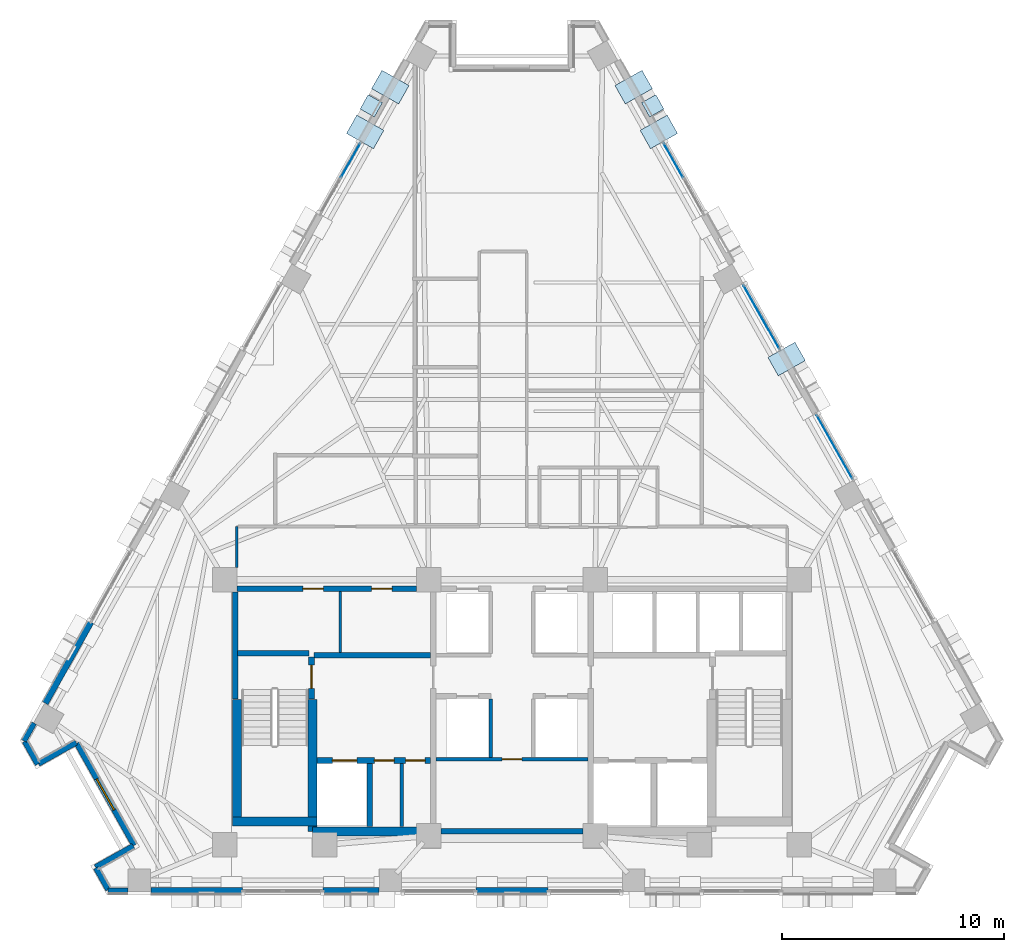
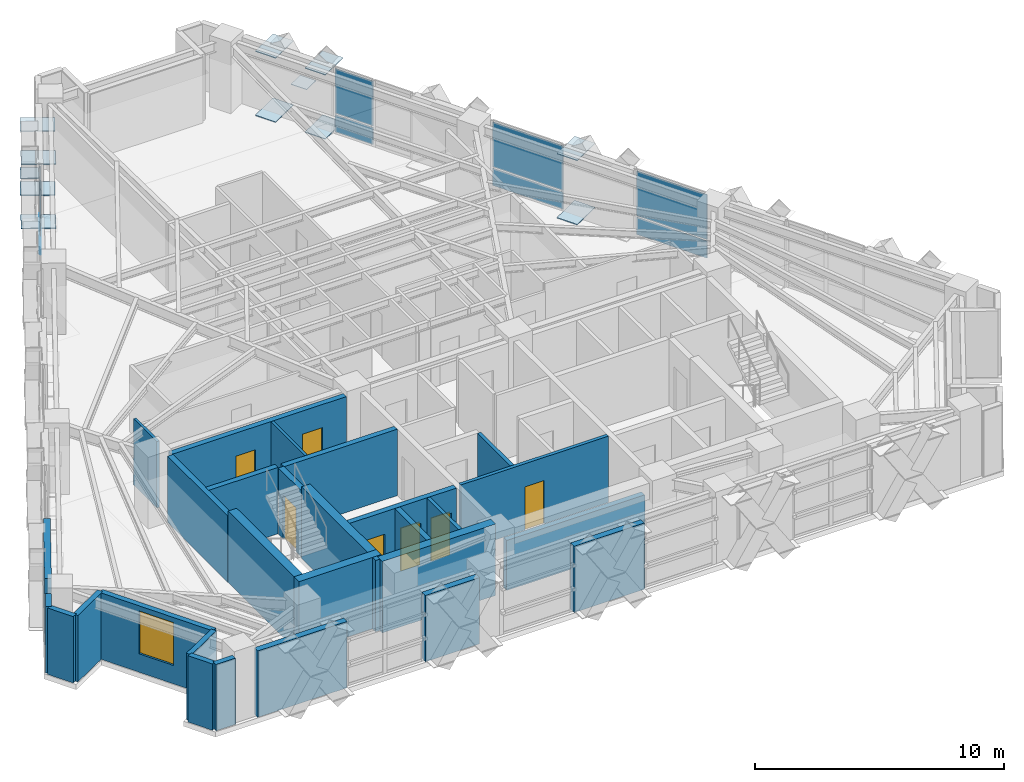
# One storey, part 7 of 14: 28 walls, 20 plates, 7 doors, 1 window, 8 openings, 4 elements without a shape of their own.
"""IFC4 building model written with IfcOpenShell, lengths in metres."""

from ifc_helpers import new_model, si_unit, direction, frame, frame_2d, origin, origin_2d, place, context, subcontext, project, spatial, rectangle, extrude, material, layer, layer_set, type_object, element, fill, aggregate, save


model = new_model("IFC4")

# Units and contexts
model_context = context("Model", 3, precision=1e-05, world=origin(), true_north=direction((0.0, 1.0)))
body_context = subcontext(model_context, "Body", "Model", "MODEL_VIEW")
ifc_project = project(units=[si_unit("LENGTHUNIT", "METRE"), si_unit("AREAUNIT", "SQUARE_METRE"), si_unit("VOLUMEUNIT", "CUBIC_METRE"), si_unit("PLANEANGLEUNIT", "RADIAN"), si_unit("MASSUNIT", "GRAM", prefix="KILO")], contexts=[model_context])

# Site, building, storey
site_placement = place(None, origin())
site = spatial("IfcSite", under=ifc_project, at=site_placement, CompositionType="ELEMENT")
building_placement = place(site_placement, origin())
building = spatial("IfcBuilding", under=site, at=building_placement, Name="Quenlor Broadcast Tower", CompositionType="ELEMENT")
storey_placement = place(building_placement, frame((0.0, 0.0, 144.0)))
storey = spatial("IfcBuildingStorey", under=building, at=storey_placement, Name="L39", CompositionType="ELEMENT", Elevation=144.0)

# Curtain wall, plates
ifc_material_1 = material(Name="Architectural Terracotta and Low-E Glazing", Category="masonry")
curtain_wall_type = type_object("IfcCurtainWallType", Name="Unitised Terracotta Curtain Wall System Z3", PredefinedType="NOTDEFINED", material=ifc_material_1)
curtain_wall_1_placement = place(storey_placement, origin())
curtain_wall_1 = element("IfcCurtainWall", 1, at=curtain_wall_1_placement, inside=storey, type_object=curtain_wall_type, Name="L39 Curtain Wall CW3 (L39-NEA-G1)", PredefinedType="NOTDEFINED")
ifc_material_2 = material(Name="Double Glazed Low-E Solar Glass", Category="glass")
ifc_layer_1 = layer(ifc_material_2, 0.028076171875)
ifc_layer_set_1 = layer_set([ifc_layer_1], Name="CW3 Double Glazed Vision Panel 28")
plate_type_1 = type_object("IfcPlateType", Name="CW3 Double Glazed Vision Panel 28", PredefinedType="CURTAIN_PANEL", material=ifc_layer_set_1)
plate_1_placement = place(storey_placement, frame((7.2763671875, 14.107421875, 0.06982421875), z_axis=(0.0, 0.0, 1.0), x_axis=(0.490270139949, -0.871570530637, 0.0)))
plate_1 = element("IfcPlate", 2, at=plate_1_placement, type_object=plate_type_1, Name="CW3 panel 1.1", PredefinedType="CURTAIN_PANEL", context=body_context, shape_type="SweptSolid", body=[
    extrude(rectangle(XDim=1.761962890625, YDim=0.028076171875, at=origin_2d()), origin(), (0.0, 0.0, 1.0), 0.844970703125),
])
plate_2_placement = place(storey_placement, frame((7.2763671875, 14.107421875, 0.98486328125), z_axis=(0.0, 0.0, 1.0), x_axis=(0.490270139949, -0.871570530637, 0.0)))
plate_2 = element("IfcPlate", 3, at=plate_2_placement, type_object=plate_type_1, Name="CW3 panel 1.2", PredefinedType="CURTAIN_PANEL", context=body_context, shape_type="SweptSolid", body=[
    extrude(rectangle(XDim=1.761962890625, YDim=0.028076171875, at=origin_2d()), origin(), (0.0, 0.0, 1.0), 2.195068359375),
])
aggregate(curtain_wall_1, [plate_1, plate_2])

curtain_wall_2_placement = place(storey_placement, origin())
curtain_wall_2 = element("IfcCurtainWall", 4, at=curtain_wall_2_placement, inside=storey, type_object=curtain_wall_type, Name="L39 Curtain Wall CW3 (L39-NE-G1)", PredefinedType="NOTDEFINED")
plate_3_placement = place(storey_placement, frame((11.250244140625, 7.04248046875, 0.06982421875), z_axis=(0.0, 0.0, 1.0), x_axis=(0.490255687418, -0.871578660222, 0.0)))
plate_3 = element("IfcPlate", 5, at=plate_3_placement, type_object=plate_type_1, Name="CW3 panel 1.1", PredefinedType="CURTAIN_PANEL", context=body_context, shape_type="SweptSolid", body=[
    extrude(rectangle(XDim=3.280517578125, YDim=0.028076171875, at=origin_2d()), origin(), (0.0, 0.0, 1.0), 0.844970703125),
])
plate_4_placement = place(storey_placement, frame((11.250244140625, 7.04248046875, 0.98486328125), z_axis=(0.0, 0.0, 1.0), x_axis=(0.490255687418, -0.871578660222, 0.0)))
plate_4 = element("IfcPlate", 6, at=plate_4_placement, type_object=plate_type_1, Name="CW3 panel 1.2", PredefinedType="CURTAIN_PANEL", context=body_context, shape_type="SweptSolid", body=[
    extrude(rectangle(XDim=3.280517578125, YDim=0.028076171875, at=origin_2d()), origin(), (0.0, 0.0, 1.0), 2.195068359375),
])
aggregate(curtain_wall_2, [plate_3, plate_4])

curtain_wall_3_placement = place(storey_placement, origin())
curtain_wall_3 = element("IfcCurtainWall", 7, at=curtain_wall_3_placement, inside=storey, type_object=curtain_wall_type, Name="L39 Curtain Wall CW3 (L39-NE-G2)", PredefinedType="NOTDEFINED")
plate_5_placement = place(storey_placement, frame((14.544677734375, 1.18603515625, 0.06982421875), z_axis=(0.0, 0.0, 1.0), x_axis=(0.490268180048, -0.871571633105, 0.0)))
plate_5 = element("IfcPlate", 8, at=plate_5_placement, type_object=plate_type_1, Name="CW3 panel 1.1", PredefinedType="CURTAIN_PANEL", context=body_context, shape_type="SweptSolid", body=[
    extrude(rectangle(XDim=3.2802734375, YDim=0.028076171875, at=origin_2d()), origin(), (0.0, 0.0, 1.0), 0.844970703125),
])
plate_6_placement = place(storey_placement, frame((14.544677734375, 1.18603515625, 0.98486328125), z_axis=(0.0, 0.0, 1.0), x_axis=(0.490268180048, -0.871571633105, 0.0)))
plate_6 = element("IfcPlate", 9, at=plate_6_placement, type_object=plate_type_1, Name="CW3 panel 1.2", PredefinedType="CURTAIN_PANEL", context=body_context, shape_type="SweptSolid", body=[
    extrude(rectangle(XDim=3.2802734375, YDim=0.028076171875, at=origin_2d()), origin(), (0.0, 0.0, 1.0), 2.195068359375),
])
aggregate(curtain_wall_3, [plate_5, plate_6])

curtain_wall_4_placement = place(storey_placement, origin())
curtain_wall_4 = element("IfcCurtainWall", 10, at=curtain_wall_4_placement, inside=storey, type_object=curtain_wall_type, Name="L39 Curtain Wall CW3 (L39-NWC-G1)", PredefinedType="NOTDEFINED")
plate_7_placement = place(storey_placement, frame((-7.2763671875, 14.107421875, 0.06982421875), z_axis=(0.0, 0.0, 1.0), x_axis=(0.490270139949, 0.871570530637, 0.0)))
plate_7 = element("IfcPlate", 11, at=plate_7_placement, type_object=plate_type_1, Name="CW3 panel 2.1", PredefinedType="CURTAIN_PANEL", context=body_context, shape_type="SweptSolid", body=[
    extrude(rectangle(XDim=1.761962890625, YDim=0.028076171875, at=origin_2d()), origin(), (0.0, 0.0, 1.0), 0.844970703125),
])
plate_8_placement = place(storey_placement, frame((-7.2763671875, 14.107421875, 0.98486328125), z_axis=(0.0, 0.0, 1.0), x_axis=(0.490270139949, 0.871570530637, 0.0)))
plate_8 = element("IfcPlate", 12, at=plate_8_placement, type_object=plate_type_1, Name="CW3 panel 2.2", PredefinedType="CURTAIN_PANEL", context=body_context, shape_type="SweptSolid", body=[
    extrude(rectangle(XDim=1.761962890625, YDim=0.028076171875, at=origin_2d()), origin(), (0.0, 0.0, 1.0), 2.195068359375),
])
aggregate(curtain_wall_4, [plate_7, plate_8])

# Plates
ifc_material_3 = material(Name="Steel S355", Category="steel")
ifc_layer_2 = layer(ifc_material_3, 0.028076171875)
ifc_layer_set_2 = layer_set([ifc_layer_2], Name="Perimeter Lattice Node Steel S355 Cap Plate 740x740x28")
plate_type_2 = type_object("IfcPlateType", Name="Perimeter Lattice Node Steel S355 Cap Plate 740x740x28", PredefinedType="USERDEFINED", material=ifc_layer_set_2)
for number, where, z_axis, x_axis, name in (
    (13, (6.345703125, 16.567626953125, 1.61572265625), (0.0, 0.0, 1.0), (0.490295412055, -0.871556314255, 0.0), "L39 Diamond Lattice Crossing Node NE-C1"),
    (14, (-6.345703125, 16.567626953125, 1.61572265625), (0.0, 0.0, 1.0), (0.490295412055, 0.871556314255, 0.0), "L39 Diamond Lattice Crossing Node NW-C5"),
):
    element("IfcPlate", number, at=place(storey_placement, frame(where, z_axis=z_axis, x_axis=x_axis)), inside=storey, type_object=plate_type_2, Name=name, ObjectType="CAP PLATE", PredefinedType="USERDEFINED", context=body_context, shape_type="SweptSolid", body=[
        extrude(rectangle(XDim=0.739990234375, YDim=0.739990234375, at=origin_2d()), origin(), (0.0, 0.0, 1.0), 0.028076171875),
    ])
ifc_material_4 = material(Name="Steel S355", Category="steel")
ifc_layer_3 = layer(ifc_material_4, 0.035888671875)
ifc_layer_set_3 = layer_set([ifc_layer_3], Name="Transfer Truss Steel S355 Gusset Node Plate 1400x950x36")
plate_type_3 = type_object("IfcPlateType", Name="Transfer Truss Steel S355 Gusset Node Plate 1400x950x36", PredefinedType="SHEET", material=ifc_layer_set_3)
for number, where, z_axis, x_axis, name in (
    (15, (5.48583984375, 17.412841796875, 0.0419921875), (0.0, 0.0, 1.0), (0.871556314255, 0.490295412055, 0.0), "L39 Lattice Tie Gusset Node NE-B1"),
    (16, (6.621337890625, 15.39404296875, 3.18212890625), (0.0, 0.0, 1.0), (0.871556314255, 0.490295412055, 0.0), "L39 Lattice Tie Gusset Node NE-T2"),
    (17, (6.621337890625, 15.39404296875, 0.0419921875), (0.0, 0.0, 1.0), (0.871556314255, 0.490295412055, 0.0), "L39 Lattice Tie Gusset Node NE-B2"),
    (18, (5.48583984375, 17.412841796875, 3.18212890625), (0.0, 0.0, 1.0), (0.871556314255, 0.490295412055, 0.0), "L39 Lattice Tie Gusset Node NE-T1"),
    (19, (12.382080078125, 5.153076171875, 0.0419921875), (0.0, 0.0, 1.0), (0.871556314255, 0.490295412055, 0.0), "L39 Lattice Tie Gusset Node NE-B7"),
    (20, (12.382080078125, 5.153076171875, 3.18212890625), (0.0, 0.0, 1.0), (0.871556314255, 0.490295412055, 0.0), "L39 Lattice Tie Gusset Node NE-T7"),
    (21, (-6.621337890625, 15.39404296875, 0.0419921875), (0.0, 0.0, 1.0), (-0.871556314255, 0.490295412055, 0.0), "L39 Lattice Tie Gusset Node NW-B13"),
    (22, (-5.48583984375, 17.412841796875, 3.18212890625), (0.0, 0.0, 1.0), (-0.871556314255, 0.490295412055, 0.0), "L39 Lattice Tie Gusset Node NW-T14"),
    (23, (-5.48583984375, 17.412841796875, 0.0419921875), (0.0, 0.0, 1.0), (-0.871556314255, 0.490295412055, 0.0), "L39 Lattice Tie Gusset Node NW-B14"),
    (24, (-6.621337890625, 15.39404296875, 3.18212890625), (0.0, 0.0, 1.0), (-0.871556314255, 0.490295412055, 0.0), "L39 Lattice Tie Gusset Node NW-T13"),
):
    element("IfcPlate", number, at=place(storey_placement, frame(where, z_axis=z_axis, x_axis=x_axis)), inside=storey, type_object=plate_type_3, Name=name, PredefinedType="SHEET", context=body_context, shape_type="SweptSolid", body=[
        extrude(rectangle(XDim=1.39990234375, YDim=0.949951171875, at=origin_2d()), origin(), (0.0, 0.0, 1.0), 0.035888671875),
    ])

# Walls
ifc_material_5 = material(Name="Concrete C50/60", Category="concrete")
ifc_layer_4 = layer(ifc_material_5, 0.39990234375)
ifc_layer_set_4 = layer_set([ifc_layer_4], Name="Core Concrete C50/60 Shear Wall 400")
wall_type_1 = type_object("IfcWallType", Name="Core Concrete C50/60 Shear Wall 400", PredefinedType="SHEAR", material=ifc_layer_set_4)
wall_1_placement = place(storey_placement, frame((-12.60009765625, -15.699951171875, 0.0), z_axis=(0.0, 0.0, 1.0), x_axis=(1.0, 0.0, 0.0)))
element("IfcWall", 25, at=wall_1_placement, inside=storey, type_object=wall_type_1, Name="L39 Core Shear Wall WS-W1", PredefinedType="SHEAR", context=body_context, shape_type="SweptSolid", body=[
    extrude(rectangle(XDim=3.800048828125, YDim=0.39990234375, at=frame_2d((1.89990234375, 0.0))), origin(), (0.0, 0.0, 1.0), 3.5),
])
wall_2_placement = place(storey_placement, frame((-9.0, -16.14990234375, 0.0), z_axis=(0.0, 0.0, 1.0), x_axis=(1.0, 0.0, 0.0)))
element("IfcWall", 26, at=wall_2_placement, inside=storey, type_object=wall_type_1, Name="L39 Core Shear Wall WS-W2", PredefinedType="SHEAR", context=body_context, shape_type="SweptSolid", body=[
    extrude(rectangle(XDim=5.25, YDim=0.39990234375, at=frame_2d((2.625, 0.0))), origin(), (0.0, 0.0, 1.0), 3.5),
])
wall_3_placement = place(storey_placement, frame((-12.39990234375, -15.699951171875, 0.0), z_axis=(0.0, 0.0, 1.0), x_axis=(0.0, 1.0, 0.0)))
element("IfcWall", 27, at=wall_3_placement, inside=storey, type_object=wall_type_1, Name="L39 Core Shear Wall WF-W", PredefinedType="SHEAR", context=body_context, shape_type="SweptSolid", body=[
    extrude(rectangle(XDim=5.5, YDim=0.39990234375, at=frame_2d((2.75, 0.0))), origin(), (0.0, 0.0, 1.0), 3.5),
])
wall_4_placement = place(storey_placement, frame((-9.0, -16.14990234375, 0.0), z_axis=(0.0, 0.0, 1.0), x_axis=(0.0, 1.0, 0.0)))
element("IfcWall", 28, at=wall_4_placement, inside=storey, type_object=wall_type_1, Name="L39 Core Shear Wall WI-W", PredefinedType="SHEAR", context=body_context, shape_type="SweptSolid", body=[
    extrude(rectangle(XDim=5.949951171875, YDim=0.39990234375, at=frame_2d((2.97509765625, 0.0))), origin(), (0.0, 0.0, 1.0), 3.5),
])

# Wall, opening, door
ifc_material_6 = material(Name="Concrete C40/50", Category="concrete")
ifc_layer_5 = layer(ifc_material_6, 0.25)
ifc_layer_set_5 = layer_set([ifc_layer_5], Name="Fire Rated Concrete C40/50 Core Wall 250")
wall_type_2 = type_object("IfcWallType", Name="Fire Rated Concrete C40/50 Core Wall 250", PredefinedType="PARTITIONING", material=ifc_layer_set_5)
wall_5_placement = place(storey_placement, frame((-9.0400390625, -10.179931640625, 0.0), z_axis=(0.0, 0.0, 1.0), x_axis=(0.0, 1.0, 0.0)))
wall_5 = element("IfcWall", 29, at=wall_5_placement, inside=storey, type_object=wall_type_2, Name="L39 Interior Wall CW-ST1-DR", PredefinedType="PARTITIONING", context=body_context, shape_type="SweptSolid", body=[
    extrude(rectangle(XDim=1.89990234375, YDim=0.25, at=frame_2d((0.949951171875, 0.0))), origin(), (0.0, 0.0, 1.0), 3.25),
])
opening_1_placement = place(wall_5_placement, frame((0.47998046875, 0.0, 0.0)))
opening_1 = element("IfcOpeningElement", 30, at=opening_1_placement, cuts=wall_5, Name="Opening FD-1", PredefinedType="OPENING", context=body_context, shape_type="SweptSolid", body=[
    extrude(rectangle(XDim=1.050048828125, YDim=2.14990234375, at=frame_2d((0.52490234375, 1.074951171875))), frame((0.0, 0.135009765625, 0.0), z_axis=(0.0, -1.0, 0.0), x_axis=(1.0, 0.0, 0.0)), (0.0, 0.0, 1.0), 0.27001953125),
])
ifc_material_7 = material(Name="Fire Rated Steel Door Leaf", Category="steel")
door_type_1 = type_object("IfcDoorType", Name="Fire Isolated Stair Door 1050x2150", OperationType="NOTDEFINED", PredefinedType="DOOR", material=ifc_material_7)
door_1_placement = place(opening_1_placement, origin())
door_1 = element("IfcDoor", 31, at=door_1_placement, inside=storey, type_object=door_type_1, Name="L39 Door DR-ST1", OperationType="SINGLE_SWING_LEFT", OverallHeight=2.14990234375, OverallWidth=1.050048828125, PredefinedType="DOOR", context=body_context, shape_type="SweptSolid", body=[
    extrude(rectangle(XDim=1.050048828125, YDim=2.14990234375, at=frame_2d((0.52490234375, 1.074951171875))), frame((0.0, 0.02490234375, 0.0), z_axis=(0.0, -1.0, 0.0), x_axis=(1.0, 0.0, 0.0)), (0.0, 0.0, 1.0), 0.050048828125),
])
fill(opening_1, door_1)

# Walls
wall_6_placement = place(storey_placement, frame((-12.3798828125, -8.1201171875, 0.0), z_axis=(0.0, 0.0, 1.0), x_axis=(1.0, 0.0, 0.0)))
element("IfcWall", 32, at=wall_6_placement, inside=storey, type_object=wall_type_2, Name="L39 Interior Wall CW-ST1-N", PredefinedType="PARTITIONING", context=body_context, shape_type="SweptSolid", body=[
    extrude(rectangle(XDim=3.219970703125, YDim=0.25, at=frame_2d((1.60986328125, 0.0))), origin(), (0.0, 0.0, 1.0), 3.25),
])
wall_7_placement = place(storey_placement, frame((-12.47998046875, -10.179931640625, 0.0), z_axis=(0.0, 0.0, 1.0), x_axis=(0.0, 1.0, 0.0)))
element("IfcWall", 33, at=wall_7_placement, inside=storey, type_object=wall_type_2, Name="L39 Interior Wall CW-ST1-W2", PredefinedType="PARTITIONING", context=body_context, shape_type="SweptSolid", body=[
    extrude(rectangle(XDim=4.827880859375, YDim=0.25, at=frame_2d((2.4140625, 0.0))), origin(), (0.0, 0.0, 1.0), 3.25),
])

# Wall, openings, doors
wall_8_placement = place(storey_placement, frame((-8.798095703125, -12.949951171875, 0.0), z_axis=(0.0, 0.0, 1.0), x_axis=(1.0, 0.0, 0.0)))
wall_8 = element("IfcWall", 34, at=wall_8_placement, inside=storey, type_object=wall_type_2, Name="L39 Interior Wall CW-FFW-S", PredefinedType="PARTITIONING", context=body_context, shape_type="SweptSolid", body=[
    extrude(rectangle(XDim=5.1181640625, YDim=0.25, at=frame_2d((2.55908203125, 0.0))), origin(), (0.0, 0.0, 1.0), 3.25),
])
opening_2_placement = place(wall_8_placement, frame((0.697998046875, 0.0, 0.0)))
opening_2 = element("IfcOpeningElement", 35, at=opening_2_placement, cuts=wall_8, Name="Opening LD-FFL-1", PredefinedType="OPENING", context=body_context, shape_type="SweptSolid", body=[
    extrude(rectangle(XDim=1.10009765625, YDim=2.14990234375, at=frame_2d((0.550048828125, 1.074951171875))), frame((0.0, 0.135009765625, 0.0), z_axis=(0.0, -1.0, 0.0), x_axis=(1.0, 0.0, 0.0)), (0.0, 0.0, 1.0), 0.27001953125),
])
opening_3_placement = place(wall_8_placement, frame((2.597900390625, 0.0, 0.0)))
opening_3 = element("IfcOpeningElement", 36, at=opening_3_placement, cuts=wall_8, Name="Opening TD-1", PredefinedType="OPENING", context=body_context, shape_type="SweptSolid", body=[
    extrude(rectangle(XDim=0.8798828125, YDim=2.10009765625, at=frame_2d((0.43994140625, 1.050048828125))), frame((0.0, 0.135009765625, 0.0), z_axis=(0.0, -1.0, 0.0), x_axis=(1.0, 0.0, 0.0)), (0.0, 0.0, 1.0), 0.27001953125),
])
opening_4_placement = place(wall_8_placement, frame((3.998046875, 0.0, 0.0)))
opening_4 = element("IfcOpeningElement", 37, at=opening_4_placement, cuts=wall_8, Name="Opening TD-1", PredefinedType="OPENING", context=body_context, shape_type="SweptSolid", body=[
    extrude(rectangle(XDim=0.8798828125, YDim=2.10009765625, at=frame_2d((0.43994140625, 1.050048828125))), frame((0.0, 0.135009765625, 0.0), z_axis=(0.0, -1.0, 0.0), x_axis=(1.0, 0.0, 0.0)), (0.0, 0.0, 1.0), 0.27001953125),
])
ifc_material_8 = material(Name="Brushed Stainless Steel", Category="steel")
door_type_2 = type_object("IfcDoorType", Name="Emergency Lift Sliding Landing Door 1100x2150", OperationType="NOTDEFINED", PredefinedType="DOOR", material=ifc_material_8)
door_2_placement = place(opening_2_placement, origin())
door_2 = element("IfcDoor", 38, at=door_2_placement, inside=storey, type_object=door_type_2, Name="L39 Door LD-FFL-1", OperationType="SLIDING_TO_LEFT", OverallHeight=2.14990234375, OverallWidth=1.10009765625, PredefinedType="DOOR", context=body_context, shape_type="SweptSolid", body=[
    extrude(rectangle(XDim=1.10009765625, YDim=2.14990234375, at=frame_2d((0.550048828125, 1.074951171875))), frame((0.0, 0.02490234375, 0.0), z_axis=(0.0, -1.0, 0.0), x_axis=(1.0, 0.0, 0.0)), (0.0, 0.0, 1.0), 0.050048828125),
])
fill(opening_2, door_2)
ifc_material_9 = material(Name="Fire Rated Steel Access Panel", Category="steel")
door_type_3 = type_object("IfcDoorType", Name="Riser Shaft Rated Access Trapdoor 880x2100", OperationType="NOTDEFINED", PredefinedType="TRAPDOOR", material=ifc_material_9)
door_3_placement = place(opening_3_placement, origin())
door_3 = element("IfcDoor", 39, at=door_3_placement, inside=storey, type_object=door_type_3, Name="L39 Door DR-ELR", OperationType="SINGLE_SWING_LEFT", OverallHeight=2.10009765625, OverallWidth=0.8798828125, PredefinedType="TRAPDOOR", context=body_context, shape_type="SweptSolid", body=[
    extrude(rectangle(XDim=0.8798828125, YDim=2.10009765625, at=frame_2d((0.43994140625, 1.050048828125))), frame((0.0, 0.02490234375, 0.0), z_axis=(0.0, -1.0, 0.0), x_axis=(1.0, 0.0, 0.0)), (0.0, 0.0, 1.0), 0.050048828125),
])
fill(opening_3, door_3)
door_4_placement = place(opening_4_placement, origin())
door_4 = element("IfcDoor", 40, at=door_4_placement, inside=storey, type_object=door_type_3, Name="L39 Door DR-CMR", OperationType="SINGLE_SWING_RIGHT", OverallHeight=2.10009765625, OverallWidth=0.8798828125, PredefinedType="TRAPDOOR", context=body_context, shape_type="SweptSolid", body=[
    extrude(rectangle(XDim=0.8798828125, YDim=2.10009765625, at=frame_2d((0.43994140625, 1.050048828125))), frame((0.0, 0.02490234375, 0.0), z_axis=(0.0, -1.0, 0.0), x_axis=(1.0, 0.0, 0.0)), (0.0, 0.0, 1.0), 0.050048828125),
])
fill(opening_4, door_4)

# Walls
wall_9_placement = place(storey_placement, frame((-6.419921875, -15.919921875, 0.0), z_axis=(0.0, 0.0, 1.0), x_axis=(0.0, 1.0, 0.0)))
element("IfcWall", 41, at=wall_9_placement, inside=storey, type_object=wall_type_2, Name="L39 Interior Wall CW-FF1-E", PredefinedType="PARTITIONING", context=body_context, shape_type="SweptSolid", body=[
    extrude(rectangle(XDim=2.829833984375, YDim=0.25, at=frame_2d((1.4150390625, 0.0))), origin(), (0.0, 0.0, 1.0), 3.25),
])
wall_10_placement = place(storey_placement, frame((-8.919921875, -8.199951171875, 0.0), z_axis=(0.0, 0.0, 1.0), x_axis=(1.0, 0.0, 0.0)))
element("IfcWall", 42, at=wall_10_placement, inside=storey, type_object=wall_type_2, Name="L39 Interior Wall CW-FFW-N", PredefinedType="PARTITIONING", context=body_context, shape_type="SweptSolid", body=[
    extrude(rectangle(XDim=5.239990234375, YDim=0.25, at=frame_2d((2.6201171875, 0.0))), origin(), (0.0, 0.0, 1.0), 3.25),
])

# Wall, openings, doors
wall_11_placement = place(storey_placement, frame((-12.39794921875, -5.199951171875, 0.0), z_axis=(0.0, 0.0, 1.0), x_axis=(1.0, 0.0, 0.0)))
wall_11 = element("IfcWall", 43, at=wall_11_placement, inside=storey, type_object=wall_type_2, Name="L39 Interior Wall CW-N-W", PredefinedType="PARTITIONING", context=body_context, shape_type="SweptSolid", body=[
    extrude(rectangle(XDim=8.095947265625, YDim=0.25, at=frame_2d((4.0478515625, 0.0))), origin(), (0.0, 0.0, 1.0), 3.25),
])
opening_5_placement = place(wall_11_placement, frame((2.968017578125, 0.0, 0.0)))
opening_5 = element("IfcOpeningElement", 44, at=opening_5_placement, cuts=wall_11, Name="Opening ID-1", PredefinedType="OPENING", context=body_context, shape_type="SweptSolid", body=[
    extrude(rectangle(XDim=0.919921875, YDim=2.1201171875, at=frame_2d((0.4599609375, 1.06005859375))), frame((0.0, 0.135009765625, 0.0), z_axis=(0.0, -1.0, 0.0), x_axis=(1.0, 0.0, 0.0)), (0.0, 0.0, 1.0), 0.27001953125),
])
opening_6_placement = place(wall_11_placement, frame((6.068115234375, 0.0, 0.0)))
opening_6 = element("IfcOpeningElement", 45, at=opening_6_placement, cuts=wall_11, Name="Opening ID-1", PredefinedType="OPENING", context=body_context, shape_type="SweptSolid", body=[
    extrude(rectangle(XDim=0.919921875, YDim=2.1201171875, at=frame_2d((0.4599609375, 1.06005859375))), frame((0.0, 0.135009765625, 0.0), z_axis=(0.0, -1.0, 0.0), x_axis=(1.0, 0.0, 0.0)), (0.0, 0.0, 1.0), 0.27001953125),
])
ifc_material_10 = material(Name="Solid Core Timber Oak", Category="wood")
door_type_4 = type_object("IfcDoorType", Name="Single Leaf Timber Office Door 920x2120", OperationType="NOTDEFINED", PredefinedType="DOOR", material=ifc_material_10)
door_5_placement = place(opening_5_placement, origin())
door_5 = element("IfcDoor", 46, at=door_5_placement, inside=storey, type_object=door_type_4, Name="L39 Door DR-RCL1", OperationType="SINGLE_SWING_LEFT", OverallHeight=2.1201171875, OverallWidth=0.919921875, PredefinedType="DOOR", context=body_context, shape_type="SweptSolid", body=[
    extrude(rectangle(XDim=0.919921875, YDim=2.1201171875, at=frame_2d((0.4599609375, 1.06005859375))), frame((0.0, 0.02490234375, 0.0), z_axis=(0.0, -1.0, 0.0), x_axis=(1.0, 0.0, 0.0)), (0.0, 0.0, 1.0), 0.050048828125),
])
fill(opening_5, door_5)
door_6_placement = place(opening_6_placement, origin())
door_6 = element("IfcDoor", 47, at=door_6_placement, inside=storey, type_object=door_type_4, Name="L39 Door DR-RCL2", OperationType="SINGLE_SWING_RIGHT", OverallHeight=2.1201171875, OverallWidth=0.919921875, PredefinedType="DOOR", context=body_context, shape_type="SweptSolid", body=[
    extrude(rectangle(XDim=0.919921875, YDim=2.1201171875, at=frame_2d((0.4599609375, 1.06005859375))), frame((0.0, 0.02490234375, 0.0), z_axis=(0.0, -1.0, 0.0), x_axis=(1.0, 0.0, 0.0)), (0.0, 0.0, 1.0), 0.050048828125),
])
fill(opening_6, door_6)

# Walls
wall_12_placement = place(storey_placement, frame((-3.197998046875, -16.14990234375, 0.0), z_axis=(0.0, 0.0, 1.0), x_axis=(1.0, 0.0, 0.0)))
element("IfcWall", 48, at=wall_12_placement, inside=storey, type_object=wall_type_2, Name="L39 Interior Wall CW-MS-S", PredefinedType="PARTITIONING", context=body_context, shape_type="SweptSolid", body=[
    extrude(rectangle(XDim=6.39599609375, YDim=0.25, at=frame_2d((3.197998046875, 0.0))), origin(), (0.0, 0.0, 1.0), 2.449951171875),
])
ifc_material_11 = material(Name="Gypsum Fireboard Partition", Category="other")
ifc_layer_6 = layer(ifc_material_11, 0.159912109375)
ifc_layer_set_6 = layer_set([ifc_layer_6], Name="Fire Rated Shaft and Corridor Partition 160")
wall_type_3 = type_object("IfcWallType", Name="Fire Rated Shaft and Corridor Partition 160", PredefinedType="PARTITIONING", material=ifc_layer_set_6)
wall_13_placement = place(storey_placement, frame((-4.97998046875, -15.919921875, 0.0), z_axis=(0.0, 0.0, 1.0), x_axis=(0.0, 1.0, 0.0)))
element("IfcWall", 49, at=wall_13_placement, inside=storey, type_object=wall_type_3, Name="L39 Interior Wall CW-ELR-E", PredefinedType="PARTITIONING", context=body_context, shape_type="SweptSolid", body=[
    extrude(rectangle(XDim=2.829833984375, YDim=0.159912109375, at=frame_2d((1.4150390625, 0.0))), origin(), (0.0, 0.0, 1.0), 3.25),
])

# Wall, opening, door
wall_14_placement = place(storey_placement, frame((-3.419921875, -12.89990234375, 0.0), z_axis=(0.0, 0.0, 1.0), x_axis=(1.0, 0.0, 0.0)))
wall_14 = element("IfcWall", 50, at=wall_14_placement, inside=storey, type_object=wall_type_3, Name="L39 Interior Wall CW-MS-B", PredefinedType="PARTITIONING", context=body_context, shape_type="SweptSolid", body=[
    extrude(rectangle(XDim=6.83984375, YDim=0.159912109375, at=frame_2d((3.419921875, 0.0))), origin(), (0.0, 0.0, 1.0), 3.25),
])
opening_7_placement = place(wall_14_placement, frame((2.97998046875, 0.0, 0.0)))
opening_7 = element("IfcOpeningElement", 51, at=opening_7_placement, cuts=wall_14, Name="Opening ID-4", PredefinedType="OPENING", context=body_context, shape_type="SweptSolid", body=[
    extrude(rectangle(XDim=0.8798828125, YDim=2.1201171875, at=frame_2d((0.43994140625, 1.06005859375))), frame((0.0, 0.08984375, 0.0), z_axis=(0.0, -1.0, 0.0), x_axis=(1.0, 0.0, 0.0)), (0.0, 0.0, 1.0), 0.179931640625),
])
ifc_material_12 = material(Name="Solid Core Timber Oak", Category="wood")
door_type_5 = type_object("IfcDoorType", Name="Service Closet Timber Door 880x2120", OperationType="NOTDEFINED", PredefinedType="DOOR", material=ifc_material_12)
door_7_placement = place(opening_7_placement, origin())
door_7 = element("IfcDoor", 52, at=door_7_placement, inside=storey, type_object=door_type_5, Name="L39 Door DR-CSV0", OperationType="SINGLE_SWING_LEFT", OverallHeight=2.1201171875, OverallWidth=0.8798828125, PredefinedType="DOOR", context=body_context, shape_type="SweptSolid", body=[
    extrude(rectangle(XDim=0.8798828125, YDim=2.1201171875, at=frame_2d((0.43994140625, 1.06005859375))), frame((0.0, 0.02490234375, 0.0), z_axis=(0.0, -1.0, 0.0), x_axis=(1.0, 0.0, 0.0)), (0.0, 0.0, 1.0), 0.050048828125),
])
fill(opening_7, door_7)

# Walls
wall_15_placement = place(storey_placement, frame((-0.949951171875, -12.818115234375, 0.0), z_axis=(0.0, 0.0, 1.0), x_axis=(0.0, 1.0, 0.0)))
element("IfcWall", 53, at=wall_15_placement, inside=storey, type_object=wall_type_3, Name="L39 Interior Wall CW-MS-W", PredefinedType="PARTITIONING", context=body_context, shape_type="SweptSolid", body=[
    extrude(rectangle(XDim=2.63818359375, YDim=0.159912109375, at=frame_2d((1.319091796875, 0.0))), origin(), (0.0, 0.0, 1.0), 3.25),
])
ifc_material_13 = material(Name="Gypsum Plasterboard Partition", Category="other")
ifc_layer_7 = layer(ifc_material_13, 0.1201171875)
ifc_layer_set_7 = layer_set([ifc_layer_7], Name="Standard Office Partition 120")
wall_type_4 = type_object("IfcWallType", Name="Standard Office Partition 120", PredefinedType="PARTITIONING", material=ifc_layer_set_7)
wall_16_placement = place(storey_placement, frame((-7.75, -8.072998046875, 0.0), z_axis=(0.0, 0.0, 1.0), x_axis=(0.0, 1.0, 0.0)))
element("IfcWall", 54, at=wall_16_placement, inside=storey, type_object=wall_type_4, Name="L39 Interior Wall CW-RCL-MID", PredefinedType="PARTITIONING", context=body_context, shape_type="SweptSolid", body=[
    extrude(rectangle(XDim=2.73291015625, YDim=0.1201171875, at=frame_2d((1.366455078125, 0.0))), origin(), (0.0, 0.0, 1.0), 3.25),
])
wall_17_placement = place(storey_placement, frame((-12.409912109375, -4.248046875, 0.0), z_axis=(0.0, 0.0, 1.0), x_axis=(0.0, 1.0, 0.0)))
element("IfcWall", 55, at=wall_17_placement, inside=storey, type_object=wall_type_4, Name="L39 Interior Wall PW-CR-01", PredefinedType="PARTITIONING", context=body_context, shape_type="SweptSolid", body=[
    extrude(rectangle(XDim=1.84814453125, YDim=0.1201171875, at=frame_2d((0.924072265625, 0.0))), origin(), (0.0, 0.0, 1.0), 3.25),
])
ifc_material_14 = material(Name="Precast concrete C40/50", Category="concrete")
ifc_layer_8 = layer(ifc_material_14, 0.239990234375)
ifc_layer_set_8 = layer_set([ifc_layer_8], Name="Terrace Threshold Precast Concrete C40/50 Wall 240")
wall_type_5 = type_object("IfcWallType", Name="Terrace Threshold Precast Concrete C40/50 Wall 240", PredefinedType="STANDARD", material=ifc_layer_set_8)
wall_18_placement = place(storey_placement, frame((-17.3134765625, -18.824951171875, 0.0), z_axis=(0.0, 0.0, 1.0), x_axis=(-1.0, 0.0, 0.0)))
element("IfcWall", 56, at=wall_18_placement, inside=storey, type_object=wall_type_5, Name="L39 Exterior Wall L39-SHD-SS1", PredefinedType="STANDARD", context=body_context, shape_type="SweptSolid", body=[
    extrude(rectangle(XDim=0.896484375, YDim=0.239990234375, at=frame_2d((0.4482421875, 0.0))), origin(), (0.0, 0.0, 1.0), 3.25),
])
wall_19_placement = place(storey_placement, frame((-22.003173828125, -12.073486328125, 0.0), z_axis=(0.0, 0.0, 1.0), x_axis=(0.490248718924, 0.871582579905, 0.0)))
element("IfcWall", 57, at=wall_19_placement, inside=storey, type_object=wall_type_5, Name="L39 Exterior Wall L39-SHD-NWS0", PredefinedType="STANDARD", context=body_context, shape_type="SweptSolid", body=[
    extrude(rectangle(XDim=0.92578125, YDim=0.239990234375, at=frame_2d((0.462890625, 0.0))), origin(), (0.0, 0.0, 1.0), 3.25),
])
wall_20_placement = place(storey_placement, frame((-21.976806640625, -12.08349609375, 0.0), z_axis=(0.0, 0.0, 1.0), x_axis=(0.490154352582, -0.871635652463, 0.0)))
element("IfcWall", 58, at=wall_20_placement, inside=storey, type_object=wall_type_5, Name="L39 Exterior Wall L39-CNR-12", PredefinedType="STANDARD", context=body_context, shape_type="SweptSolid", body=[
    extrude(rectangle(XDim=1.19287109375, YDim=0.239990234375, at=frame_2d((0.596435546875, 0.0))), origin(), (0.0, 0.0, 1.0), 3.25),
])
wall_21_placement = place(storey_placement, frame((-21.357421875, -13.103515625, 0.0), z_axis=(0.0, 0.0, 1.0), x_axis=(0.871595493845, 0.490225759328, 0.0)))
element("IfcWall", 59, at=wall_21_placement, inside=storey, type_object=wall_type_5, Name="L39 Exterior Wall L39-CNR-13", PredefinedType="STANDARD", context=body_context, shape_type="SweptSolid", body=[
    extrude(rectangle(XDim=1.960205078125, YDim=0.239990234375, at=frame_2d((0.97998046875, 0.0))), origin(), (0.0, 0.0, 1.0), 3.25),
])

# Wall, opening, window
wall_22_placement = place(storey_placement, frame((-19.62939453125, -12.177490234375, 0.0), z_axis=(0.0, 0.0, 1.0), x_axis=(0.490276606961, -0.871566892824, 0.0)))
wall_22 = element("IfcWall", 60, at=wall_22_placement, inside=storey, type_object=wall_type_5, Name="L39 Exterior Wall L39-CNR-14", PredefinedType="STANDARD", context=body_context, shape_type="SweptSolid", body=[
    extrude(rectangle(XDim=5.280029296875, YDim=0.239990234375, at=frame_2d((2.64013671875, 0.0))), origin(), (0.0, 0.0, 1.0), 3.25),
])
opening_8_placement = place(wall_22_placement, frame((1.840087890625, 0.0, 0.89990234375)))
opening_8 = element("IfcOpeningElement", 61, at=opening_8_placement, cuts=wall_22, Name="Opening WN-2", PredefinedType="OPENING", context=body_context, shape_type="SweptSolid", body=[
    extrude(rectangle(XDim=1.60009765625, YDim=2.10009765625, at=frame_2d((0.800048828125, 1.050048828125))), frame((0.0, 0.1298828125, 0.0), z_axis=(0.0, -1.0, 0.0), x_axis=(1.0, 0.0, 0.0)), (0.0, 0.0, 1.0), 0.260009765625),
])
ifc_material_15 = material(Name="Thermally Broken Aluminium and Low-E Glass", Category="aluminium")
window_type = type_object("IfcWindowType", Name="Tower Studio Punched Window 1600x2100", PartitioningType="SINGLE_PANEL", PredefinedType="WINDOW", material=ifc_material_15)
window_placement = place(opening_8_placement, origin())
window = element("IfcWindow", 62, at=window_placement, inside=storey, type_object=window_type, Name="L39 Corner Chamfer Window 14", OverallHeight=2.10009765625, OverallWidth=1.60009765625, PartitioningType="SINGLE_PANEL", PredefinedType="WINDOW", context=body_context, shape_type="SweptSolid", body=[
    extrude(rectangle(XDim=1.60009765625, YDim=2.10009765625, at=frame_2d((0.800048828125, 1.050048828125))), frame((0.0, 0.030029296875, 0.0), z_axis=(0.0, -1.0, 0.0), x_axis=(1.0, 0.0, 0.0)), (0.0, 0.0, 1.0), 0.06005859375),
])
fill(opening_8, window)

# Walls
wall_23_placement = place(storey_placement, frame((-17.07568359375, -16.799072265625, 0.0), z_axis=(0.0, 0.0, 1.0), x_axis=(-0.871565557139, -0.490278981406, 0.0)))
element("IfcWall", 63, at=wall_23_placement, inside=storey, type_object=wall_type_5, Name="L39 Exterior Wall L39-CNR-15", PredefinedType="STANDARD", context=body_context, shape_type="SweptSolid", body=[
    extrude(rectangle(XDim=1.9599609375, YDim=0.239990234375, at=frame_2d((0.97998046875, 0.0))), origin(), (0.0, 0.0, 1.0), 3.25),
])
wall_24_placement = place(storey_placement, frame((-18.764404296875, -17.794921875, 0.0), z_axis=(0.0, 0.0, 1.0), x_axis=(0.490353621339, -0.871523565969, 0.0)))
element("IfcWall", 64, at=wall_24_placement, inside=storey, type_object=wall_type_5, Name="L39 Exterior Wall L39-CNR-16", PredefinedType="STANDARD", context=body_context, shape_type="SweptSolid", body=[
    extrude(rectangle(XDim=1.129150390625, YDim=0.239990234375, at=frame_2d((0.564453125, 0.0))), origin(), (0.0, 0.0, 1.0), 3.25),
])
ifc_material_16 = material(Name="Precast concrete C40/50", Category="concrete")
ifc_layer_9 = layer(ifc_material_16, 0.280029296875)
ifc_layer_set_9 = layer_set([ifc_layer_9], Name="Terracotta Precast Concrete C40/50 Facade Wall 280")
wall_type_6 = type_object("IfcWallType", Name="Terracotta Precast Concrete C40/50 Facade Wall 280", PredefinedType="STANDARD", material=ifc_layer_set_9)
wall_25_placement = place(storey_placement, frame((-6.006103515625, -18.824951171875, 0.0), z_axis=(0.0, 0.0, 1.0), x_axis=(-1.0, 0.0, 0.0)))
element("IfcWall", 65, at=wall_25_placement, inside=storey, type_object=wall_type_6, Name="L39 Exterior Wall L39-SC-SP1", PredefinedType="STANDARD", context=body_context, shape_type="SweptSolid", body=[
    extrude(rectangle(XDim=2.5087890625, YDim=0.280029296875, at=frame_2d((1.25439453125, 0.0))), origin(), (0.0, 0.0, 1.0), 3.25),
])
wall_26_placement = place(storey_placement, frame((-12.14892578125, -18.824951171875, 0.0), z_axis=(0.0, 0.0, 1.0), x_axis=(-1.0, 0.0, 0.0)))
element("IfcWall", 66, at=wall_26_placement, inside=storey, type_object=wall_type_6, Name="L39 Exterior Wall L39-SC-SP2", PredefinedType="STANDARD", context=body_context, shape_type="SweptSolid", body=[
    extrude(rectangle(XDim=4.134521484375, YDim=0.280029296875, at=frame_2d((2.0673828125, 0.0))), origin(), (0.0, 0.0, 1.0), 3.25),
])
wall_27_placement = place(storey_placement, frame((1.626953125, -18.824951171875, 0.0), z_axis=(0.0, 0.0, 1.0), x_axis=(-1.0, 0.0, 0.0)))
element("IfcWall", 67, at=wall_27_placement, inside=storey, type_object=wall_type_6, Name="L39 Exterior Wall L39-S-SP1", PredefinedType="STANDARD", context=body_context, shape_type="SweptSolid", body=[
    extrude(rectangle(XDim=3.25390625, YDim=0.280029296875, at=frame_2d((1.626953125, 0.0))), origin(), (0.0, 0.0, 1.0), 3.25),
])
wall_28_placement = place(storey_placement, frame((-21.044189453125, -10.368896484375, 0.0), z_axis=(0.0, 0.0, 1.0), x_axis=(0.490230882965, 0.871592612054, 0.0)))
element("IfcWall", 68, at=wall_28_placement, inside=storey, type_object=wall_type_6, Name="L39 Exterior Wall L39-NWA-SP1", PredefinedType="STANDARD", context=body_context, shape_type="SweptSolid", body=[
    extrude(rectangle(XDim=4.2001953125, YDim=0.280029296875, at=frame_2d((2.10009765625, 0.0))), origin(), (0.0, 0.0, 1.0), 3.25),
])

save(model, "model.ifc")
